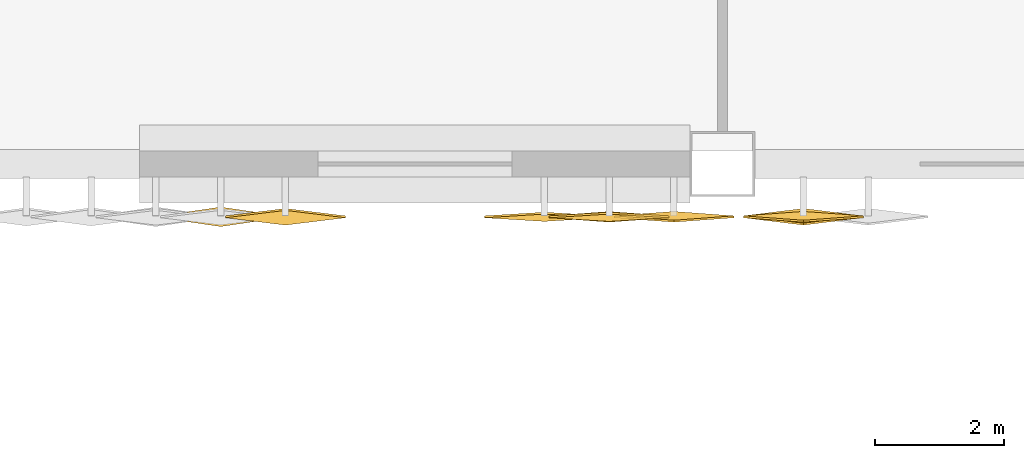
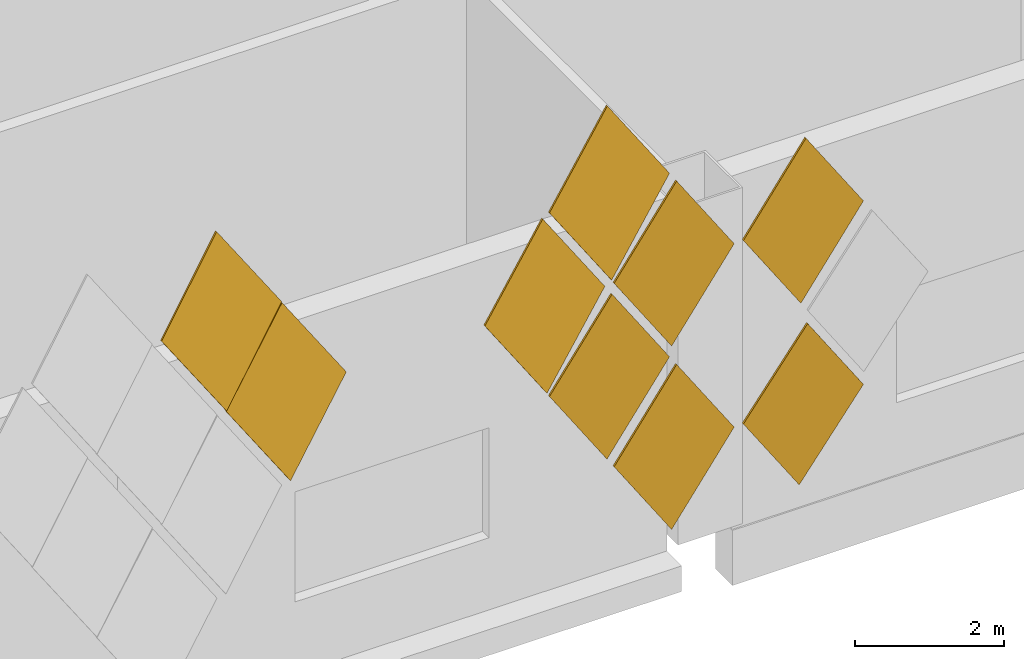
# One storey, part 168 of 185: 9 coverings.
"""IFC4 building model written with IfcOpenShell, lengths in metres."""

from ifc_helpers import new_model, si_unit, direction, frame, origin, place, context, subcontext, project, spatial, polyline, outline, extrude, material, material_profile, profile_set, type_object, element, save


model = new_model("IFC4")

# Units and contexts
model_context = context("Model", 3, precision=1e-05, world=origin(), true_north=direction((0.0, 1.0)))
body_context = subcontext(model_context, "Body", "Model", "MODEL_VIEW")
ifc_project = project(units=[si_unit("LENGTHUNIT", "METRE"), si_unit("AREAUNIT", "SQUARE_METRE"), si_unit("VOLUMEUNIT", "CUBIC_METRE"), si_unit("PLANEANGLEUNIT", "RADIAN"), si_unit("MASSUNIT", "GRAM", prefix="KILO")], contexts=[model_context])

# Site, building, storey
site_placement = place(None, origin())
site = spatial("IfcSite", under=ifc_project, at=site_placement, CompositionType="ELEMENT")
building_placement = place(site_placement, origin())
building = spatial("IfcBuilding", under=site, at=building_placement, Name="Opaline Strait Convention Centre", CompositionType="ELEMENT")
storey_placement = place(building_placement, frame((0.0, 0.0, 6.0)))
storey = spatial("IfcBuildingStorey", under=building, at=storey_placement, Name="L01", CompositionType="ELEMENT", Elevation=6.0)

# Coverings
ifc_material = material(Name="White ceramic-faced aluminium tile", Category="aluminium")
ifc_material_profile_1 = material_profile(ifc_material, outline(polyline([(0.927978515625, 0.0), (0.0, 1.39208984375), (-0.927978515625, 0.0), (0.0, -1.39208984375), (0.927978515625, 0.0)])), Name="Diamond tile 1856x2784")
ifc_profile_set_1 = profile_set([ifc_material_profile_1], Name="White ceramic-faced aluminium tile")
covering_type_1 = type_object("IfcCoveringType", Name="Diamond wall tile 1856x2784x30 pivot 2.5 deg", PredefinedType="CLADDING", material=ifc_profile_set_1)
for number, where, z_axis, x_axis, name in (
    (1, (134.25, 53.199951171875, 1.89208984375), (0.0, -0.998812351125, -0.048722553713), (1.0, 0.0, 0.0), "Wall tile XT05 S"),
    (2, (133.25, 53.199951171875, 3.39208984375), (0.0, -0.998812351125, -0.048722553713), (1.0, 0.0, 0.0), "Wall tile XT05 S"),
    (3, (132.25, 53.199951171875, 4.89208984375), (0.0, -0.999174794796, 0.040616861577), (1.0, 0.0, 0.0), "Wall tile XT05 S"),
    (4, (134.25, 53.199951171875, 4.89208984375), (0.0, -0.998812351125, -0.048722553713), (1.0, 0.0, 0.0), "Wall tile XT05 S"),
    (5, (136.25, 53.199951171875, 4.89208984375), (0.0, -0.998812351125, -0.048722553713), (1.0, 0.0, 0.0), "Wall tile XT05 S"),
    (6, (133.25, 53.199951171875, 6.39208984375), (0.0, -0.999174794796, 0.040616861577), (1.0, 0.0, 0.0), "Wall tile XT05 S"),
):
    element("IfcCovering", number, at=place(storey_placement, frame(where, z_axis=z_axis, x_axis=x_axis)), inside=storey, type_object=covering_type_1, Name=name, PredefinedType="CLADDING", context=body_context, shape_type="SweptSolid", body=[
        extrude(outline(polyline([(0.927978515625, 0.0), (0.0, 1.39208984375), (-0.927978515625, 0.0), (0.0, -1.39208984375), (0.927978515625, 0.0)])), origin(), (0.0, 0.0, 1.0), 0.030029296875),
    ])
ifc_material_profile_2 = material_profile(ifc_material, outline(polyline([(0.927978515625, 0.0), (0.0, 1.39208984375), (-0.927978515625, 0.0), (0.0, -1.39208984375), (0.927978515625, 0.0)])), Name="Diamond tile 1856x2784")
ifc_profile_set_2 = profile_set([ifc_material_profile_2], Name="White ceramic-faced aluminium tile")
covering_type_2 = type_object("IfcCoveringType", Name="Diamond wall tile 1856x2784x30 pivot 4.5 deg", PredefinedType="CLADDING", material=ifc_profile_set_2)
covering_1_placement = place(storey_placement, frame((136.25, 53.199951171875, 1.89208984375), z_axis=(0.0, -0.996657521232, -0.081693239445), x_axis=(1.0, 0.0, 0.0)))
element("IfcCovering", 7, at=covering_1_placement, inside=storey, type_object=covering_type_2, Name="Wall tile XT09 S", PredefinedType="CLADDING", context=body_context, shape_type="SweptSolid", body=[
    extrude(outline(polyline([(0.927978515625, 0.0), (0.0, 1.39208984375), (-0.927978515625, 0.0), (0.0, -1.39208984375), (0.927978515625, 0.0)])), origin(), (0.0, 0.0, 1.0), 0.02978515625),
])
ifc_material_profile_3 = material_profile(ifc_material, outline(polyline([(0.927978515625, 0.0), (0.0, 1.39208984375), (-0.927978515625, 0.0), (0.0, -1.39208984375), (0.927978515625, 0.0)])), Name="Diamond tile 1856x2784")
ifc_profile_set_3 = profile_set([ifc_material_profile_3], Name="White ceramic-faced aluminium tile")
covering_type_3 = type_object("IfcCoveringType", Name="Diamond wall tile 1856x2784x30 pivot 5 deg", PredefinedType="CLADDING", material=ifc_profile_set_3)
covering_2_placement = place(storey_placement, frame((128.25, 53.199951171875, 4.89208984375), z_axis=(0.0, -0.996657521232, 0.081693239445), x_axis=(1.0, 0.0, 0.0)))
element("IfcCovering", 8, at=covering_2_placement, inside=storey, type_object=covering_type_3, Name="Wall tile XT10 S", PredefinedType="CLADDING", context=body_context, shape_type="SweptSolid", body=[
    extrude(outline(polyline([(0.927978515625, 0.0), (0.0, 1.39208984375), (-0.927978515625, 0.0), (0.0, -1.39208984375), (0.927978515625, 0.0)])), origin(), (0.0, 0.0, 1.0), 0.02978515625),
])
ifc_material_profile_4 = material_profile(ifc_material, outline(polyline([(0.927978515625, 0.0), (0.0, 1.39208984375), (-0.927978515625, 0.0), (0.0, -1.39208984375), (0.927978515625, 0.0)])), Name="Diamond tile 1856x2784")
ifc_profile_set_4 = profile_set([ifc_material_profile_4], Name="White ceramic-faced aluminium tile")
covering_type_4 = type_object("IfcCoveringType", Name="Diamond wall tile 1856x2784x30 pivot 6 deg", PredefinedType="CLADDING", material=ifc_profile_set_4)
covering_3_placement = place(storey_placement, frame((127.25, 53.199951171875, 6.39208984375), z_axis=(0.0, -0.995197410875, 0.097888269922), x_axis=(1.0, 0.0, 0.0)))
element("IfcCovering", 9, at=covering_3_placement, inside=storey, type_object=covering_type_4, Name="Wall tile XT12 S", PredefinedType="CLADDING", context=body_context, shape_type="SweptSolid", body=[
    extrude(outline(polyline([(0.927978515625, 0.0), (0.0, 1.39208984375), (-0.927978515625, 0.0), (0.0, -1.39208984375), (0.927978515625, 0.0)])), origin(), (0.0, 0.0, 1.0), 0.030029296875),
])

save(model, "model.ifc")
